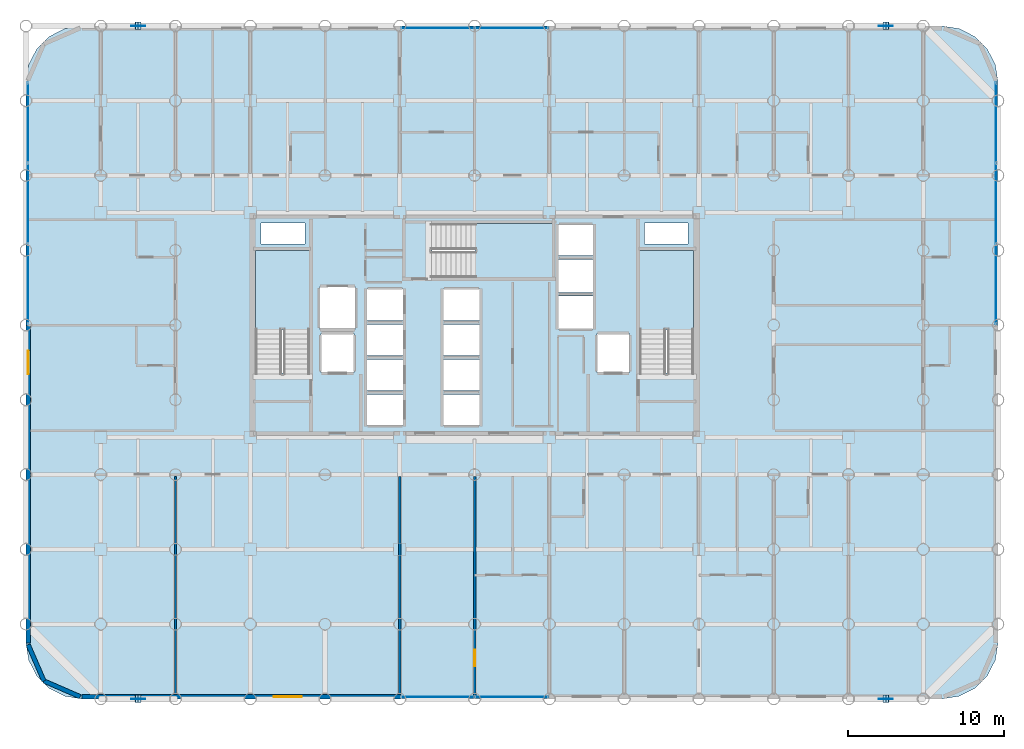
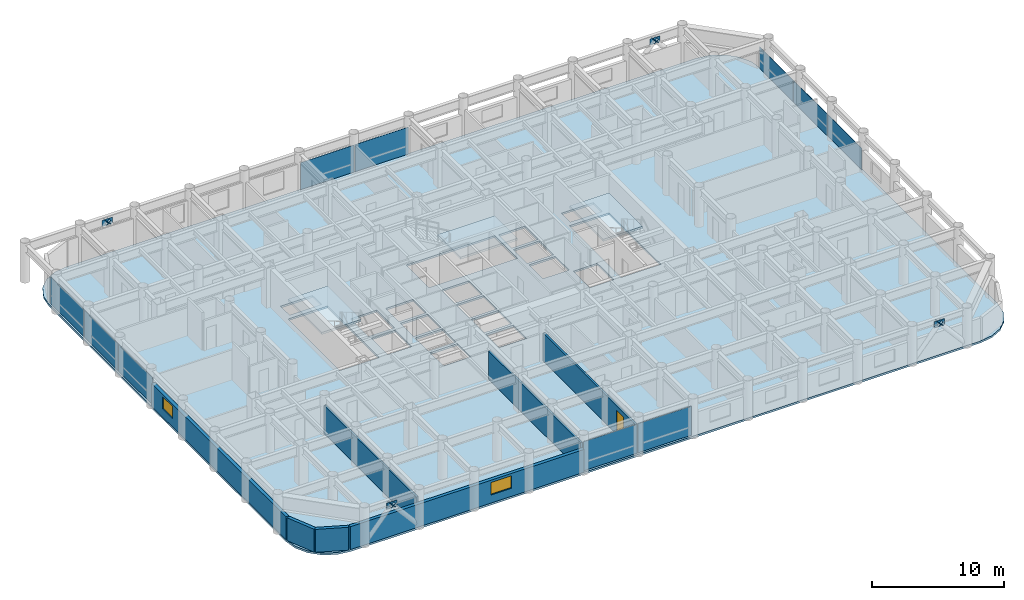
# One storey, part 14 of 20: 22 plates, 7 walls, 4 slabs, 2 windows, 1 door, 3 openings, 7 elements without a shape of their own.
"""IFC4 building model written with IfcOpenShell, lengths in metres."""

from ifc_helpers import new_model, si_unit, direction, frame, frame_2d, origin, origin_2d, place, context, subcontext, project, spatial, polyline, rectangle, outline, extrude, material, layer, layer_set, type_object, element, fill, aggregate, save


model = new_model("IFC4")

# Units and contexts
model_context = context("Model", 3, precision=1e-05, world=origin(), true_north=direction((0.0, 1.0)))
body_context = subcontext(model_context, "Body", "Model", "MODEL_VIEW")
ifc_project = project(units=[si_unit("LENGTHUNIT", "METRE"), si_unit("AREAUNIT", "SQUARE_METRE"), si_unit("VOLUMEUNIT", "CUBIC_METRE"), si_unit("PLANEANGLEUNIT", "RADIAN"), si_unit("MASSUNIT", "GRAM", prefix="KILO")], contexts=[model_context])

# Site, building, storey
site_placement = place(None, origin())
site = spatial("IfcSite", under=ifc_project, at=site_placement, CompositionType="ELEMENT")
building_placement = place(site_placement, origin())
building = spatial("IfcBuilding", under=site, at=building_placement, Name="Kallvorn Hotel Tower", CompositionType="ELEMENT")
storey_placement = place(building_placement, frame((0.0, 0.0, 78.10009765625)))
storey = spatial("IfcBuildingStorey", under=building, at=storey_placement, Name="L18", CompositionType="ELEMENT", Elevation=78.10009765625)

# Curtain wall, plates
ifc_material_1 = material(Name="Thermally broken black-anodised aluminium AA 6063-T6", Category="aluminium")
ifc_layer_1 = layer(ifc_material_1, 0.199951171875)
ifc_layer_set_1 = layer_set([ifc_layer_1], Name="CW_SYS_3_HOTEL_LOW")
curtain_wall_type = type_object("IfcCurtainWallType", Name="CW_SYS_3_HOTEL_LOW", PredefinedType="USERDEFINED", material=ifc_layer_set_1)
curtain_wall_1_placement = place(storey_placement, origin())
curtain_wall_1 = element("IfcCurtainWall", 1, at=curtain_wall_1_placement, inside=storey, type_object=curtain_wall_type, Name="L18 Dark-Glass Curtain Wall CW-L18-SC", ObjectType="UNITISED CURTAIN WALL", PredefinedType="USERDEFINED")
ifc_material_2 = material(Name="Double-glazed low-e solar-control dark glass", Category="glass")
ifc_layer_2 = layer(ifc_material_2, 0.035888671875)
ifc_layer_set_2 = layer_set([ifc_layer_2], Name="CW_SYS_3_HOTEL_LOW_PANEL")
plate_type_1 = type_object("IfcPlateType", Name="CW_SYS_3_HOTEL_LOW_PANEL", PredefinedType="CURTAIN_PANEL", material=ifc_layer_set_2)
plate_1_placement = place(storey_placement, frame((-2.375, -23.8798828125, 0.06005859375), z_axis=(0.0, 0.0, 1.0), x_axis=(1.0, 0.0, 0.0)))
plate_1 = element("IfcPlate", 2, at=plate_1_placement, type_object=plate_type_1, Name="CW-L18-SC Vision Glass Panel 00", PredefinedType="CURTAIN_PANEL", context=body_context, shape_type="SweptSolid", body=[
    extrude(rectangle(XDim=4.68994140625, YDim=0.035888671875, at=origin_2d()), origin(), (0.0, 0.0, 1.0), 2.699951171875),
])
plate_2_placement = place(storey_placement, frame((2.375, -23.8798828125, 0.06005859375), z_axis=(0.0, 0.0, 1.0), x_axis=(1.0, 0.0, 0.0)))
plate_2 = element("IfcPlate", 3, at=plate_2_placement, type_object=plate_type_1, Name="CW-L18-SC Vision Glass Panel 01", PredefinedType="CURTAIN_PANEL", context=body_context, shape_type="SweptSolid", body=[
    extrude(rectangle(XDim=4.68994140625, YDim=0.035888671875, at=origin_2d()), origin(), (0.0, 0.0, 1.0), 2.699951171875),
])
aggregate(curtain_wall_1, [plate_1, plate_2])

curtain_wall_2_placement = place(storey_placement, origin())
curtain_wall_2 = element("IfcCurtainWall", 4, at=curtain_wall_2_placement, inside=storey, type_object=curtain_wall_type, Name="L18 Dark-Glass Curtain Wall CW-L18-NC", ObjectType="UNITISED CURTAIN WALL", PredefinedType="USERDEFINED")
plate_3_placement = place(storey_placement, frame((-2.375, 19.080078125, 0.059814453125), z_axis=(0.0, 0.0, 1.0), x_axis=(1.0, 0.0, 0.0)))
plate_3 = element("IfcPlate", 5, at=plate_3_placement, type_object=plate_type_1, Name="CW-L18-NC Vision Glass Panel 00", PredefinedType="CURTAIN_PANEL", context=body_context, shape_type="SweptSolid", body=[
    extrude(rectangle(XDim=4.68994140625, YDim=0.035888671875, at=origin_2d()), origin(), (0.0, 0.0, 1.0), 2.5),
])
plate_4_placement = place(storey_placement, frame((2.375, 19.080078125, 0.059814453125), z_axis=(0.0, 0.0, 1.0), x_axis=(1.0, 0.0, 0.0)))
plate_4 = element("IfcPlate", 6, at=plate_4_placement, type_object=plate_type_1, Name="CW-L18-NC Vision Glass Panel 01", PredefinedType="CURTAIN_PANEL", context=body_context, shape_type="SweptSolid", body=[
    extrude(rectangle(XDim=4.68994140625, YDim=0.035888671875, at=origin_2d()), origin(), (0.0, 0.0, 1.0), 2.5),
])
aggregate(curtain_wall_2, [plate_3, plate_4])

curtain_wall_3_placement = place(storey_placement, origin())
curtain_wall_3 = element("IfcCurtainWall", 7, at=curtain_wall_3_placement, inside=storey, type_object=curtain_wall_type, Name="L18 Dark-Glass Curtain Wall CW-L18-WN", ObjectType="UNITISED CURTAIN WALL", PredefinedType="USERDEFINED")
plate_5_placement = place(storey_placement, frame((-28.679931640625, 2.61669921875, 0.059814453125), z_axis=(0.0, 0.0, 1.0), x_axis=(0.0, 1.0, 0.0)))
plate_5 = element("IfcPlate", 8, at=plate_5_placement, type_object=plate_type_1, Name="CW-L18-WN Vision Glass Panel 00", PredefinedType="CURTAIN_PANEL", context=body_context, shape_type="SweptSolid", body=[
    extrude(rectangle(XDim=5.13330078125, YDim=0.035888671875, at=origin_2d()), origin(), (0.0, 0.0, 1.0), 2.5),
])
plate_6_placement = place(storey_placement, frame((-28.679931640625, 7.81005859375, 0.059814453125), z_axis=(0.0, 0.0, 1.0), x_axis=(0.0, 1.0, 0.0)))
plate_6 = element("IfcPlate", 9, at=plate_6_placement, type_object=plate_type_1, Name="CW-L18-WN Vision Glass Panel 01", PredefinedType="CURTAIN_PANEL", context=body_context, shape_type="SweptSolid", body=[
    extrude(rectangle(XDim=5.13330078125, YDim=0.035888671875, at=origin_2d()), origin(), (0.0, 0.0, 1.0), 2.5),
])
plate_7_placement = place(storey_placement, frame((-28.679931640625, 13.00341796875, 0.059814453125), z_axis=(0.0, 0.0, 1.0), x_axis=(0.0, 1.0, 0.0)))
plate_7 = element("IfcPlate", 10, at=plate_7_placement, type_object=plate_type_1, Name="CW-L18-WN Vision Glass Panel 02", PredefinedType="CURTAIN_PANEL", context=body_context, shape_type="SweptSolid", body=[
    extrude(rectangle(XDim=5.13330078125, YDim=0.035888671875, at=origin_2d()), origin(), (0.0, 0.0, 1.0), 2.5),
])
aggregate(curtain_wall_3, [plate_5, plate_6, plate_7])

curtain_wall_4_placement = place(storey_placement, origin())
curtain_wall_4 = element("IfcCurtainWall", 11, at=curtain_wall_4_placement, inside=storey, type_object=curtain_wall_type, Name="L18 Dark-Glass Curtain Wall CW-L18-EN", ObjectType="UNITISED CURTAIN WALL", PredefinedType="USERDEFINED")
plate_8_placement = place(storey_placement, frame((33.47998046875, 2.61669921875, 0.059814453125), z_axis=(0.0, 0.0, 1.0), x_axis=(0.0, 1.0, 0.0)))
plate_8 = element("IfcPlate", 12, at=plate_8_placement, type_object=plate_type_1, Name="CW-L18-EN Vision Glass Panel 00", PredefinedType="CURTAIN_PANEL", context=body_context, shape_type="SweptSolid", body=[
    extrude(rectangle(XDim=5.13330078125, YDim=0.035888671875, at=origin_2d()), origin(), (0.0, 0.0, 1.0), 2.0),
])
plate_9_placement = place(storey_placement, frame((33.47998046875, 7.81005859375, 0.059814453125), z_axis=(0.0, 0.0, 1.0), x_axis=(0.0, 1.0, 0.0)))
plate_9 = element("IfcPlate", 13, at=plate_9_placement, type_object=plate_type_1, Name="CW-L18-EN Vision Glass Panel 01", PredefinedType="CURTAIN_PANEL", context=body_context, shape_type="SweptSolid", body=[
    extrude(rectangle(XDim=5.13330078125, YDim=0.035888671875, at=origin_2d()), origin(), (0.0, 0.0, 1.0), 2.0),
])
plate_10_placement = place(storey_placement, frame((33.47998046875, 13.00341796875, 0.059814453125), z_axis=(0.0, 0.0, 1.0), x_axis=(0.0, 1.0, 0.0)))
plate_10 = element("IfcPlate", 14, at=plate_10_placement, type_object=plate_type_1, Name="CW-L18-EN Vision Glass Panel 02", PredefinedType="CURTAIN_PANEL", context=body_context, shape_type="SweptSolid", body=[
    extrude(rectangle(XDim=5.13330078125, YDim=0.035888671875, at=origin_2d()), origin(), (0.0, 0.0, 1.0), 2.0),
])
aggregate(curtain_wall_4, [plate_8, plate_9, plate_10])

# Plates
ifc_material_3 = material(Name="Structural steel S355JR", Category="steel")
ifc_layer_3 = layer(ifc_material_3, 0.030029296875)
ifc_layer_set_3 = layer_set([ifc_layer_3], Name="PLT_CAP_30")
plate_type_2 = type_object("IfcPlateType", Name="PLT_CAP_30", PredefinedType="SHEET", material=ifc_layer_set_3)
for number, where, z_axis, x_axis, name in (
    (15, (-21.409423828125, -24.2431640625, 2.80859375), (0.653515319717, 0.0, 0.756913288888), (0.0, 1.0, 0.0), "EXO-L18-S1A End Cap Plate B"),
    (16, (-21.79052734375, -23.7568359375, 2.80859375), (-0.653515319717, 0.0, 0.756913288888), (0.0, -1.0, 0.0), "EXO-L18-S1B End Cap Plate B"),
    (17, (26.590576171875, -24.2431640625, 2.80859375), (0.653515319717, 0.0, 0.756913288888), (0.0, 1.0, 0.0), "EXO-L18-S2A End Cap Plate B"),
    (18, (26.20947265625, -23.7568359375, 2.80859375), (-0.653515319717, 0.0, 0.756913288888), (0.0, -1.0, 0.0), "EXO-L18-S2B End Cap Plate B"),
    (19, (-21.409423828125, 18.956787109375, 2.80859375), (0.653515319717, 0.0, 0.756913288888), (0.0, 1.0, 0.0), "EXO-L18-N1A End Cap Plate B"),
    (20, (-21.79052734375, 19.443115234375, 2.80859375), (-0.653515319717, 0.0, 0.756913288888), (0.0, -1.0, 0.0), "EXO-L18-N1B End Cap Plate B"),
    (21, (26.590576171875, 18.956787109375, 2.80859375), (0.653515319717, 0.0, 0.756913288888), (0.0, 1.0, 0.0), "EXO-L18-N2A End Cap Plate B"),
    (22, (26.20947265625, 19.443115234375, 2.80859375), (-0.653515319717, 0.0, 0.756913288888), (0.0, -1.0, 0.0), "EXO-L18-N2B End Cap Plate B"),
):
    element("IfcPlate", number, at=place(storey_placement, frame(where, z_axis=z_axis, x_axis=x_axis)), inside=storey, type_object=plate_type_2, Name=name, PredefinedType="SHEET", context=body_context, shape_type="SweptSolid", body=[
        extrude(outline(polyline([(0.0, 0.0), (0.486328125, 0.0), (0.486328125, 0.4864019008580509), (0.0, 0.4864019008580509), (0.0, 0.0)])), origin(), (0.0, 0.0, -1.0), 0.030029296875),
    ])
ifc_material_4 = material(Name="Structural steel S355JR", Category="steel")
ifc_layer_4 = layer(ifc_material_4, 0.044921875)
ifc_layer_set_4 = layer_set([ifc_layer_4], Name="PLT_GUSSET_45")
plate_type_3 = type_object("IfcPlateType", Name="PLT_GUSSET_45", PredefinedType="USERDEFINED", material=ifc_layer_set_4)
for number, where, z_axis, x_axis, name in (
    (23, (-21.60009765625, -24.0, 2.639892578125), (0.0, 0.0, 1.0), (1.0, 0.0, 0.0), "L18 Exoskeleton Node Gusset S1"),
    (24, (26.39990234375, -24.0, 2.639892578125), (0.0, 0.0, 1.0), (1.0, 0.0, 0.0), "L18 Exoskeleton Node Gusset S2"),
    (25, (-21.60009765625, 19.199951171875, 2.639892578125), (0.0, 0.0, 1.0), (1.0, 0.0, 0.0), "L18 Exoskeleton Node Gusset N1"),
    (26, (26.39990234375, 19.199951171875, 2.639892578125), (0.0, 0.0, 1.0), (1.0, 0.0, 0.0), "L18 Exoskeleton Node Gusset N2"),
):
    element("IfcPlate", number, at=place(storey_placement, frame(where, z_axis=z_axis, x_axis=x_axis)), inside=storey, type_object=plate_type_3, Name=name, ObjectType="GUSSET PLATE", PredefinedType="USERDEFINED", context=body_context, shape_type="SweptSolid", body=[
        extrude(rectangle(XDim=0.89990234375, YDim=0.044921875, at=origin_2d()), origin(), (0.0, 0.0, 1.0), 0.56005859375),
    ])

# Stair, slab
ifc_material_5 = material(Name="Precast concrete C40/50", Category="concrete")
stair_type = type_object("IfcStairType", Name="STR_CORE_DOGLEG", PredefinedType="HALF_TURN_STAIR", material=ifc_material_5)
stair_1_placement = place(storey_placement, origin())
stair_1 = element("IfcStair", 27, at=stair_1_placement, inside=storey, type_object=stair_type, Name="L18 Exit stair ST1", PredefinedType="HALF_TURN_STAIR")
ifc_material_6 = material(Name="Precast concrete C40/50", Category="concrete")
ifc_layer_5 = layer(ifc_material_6, 0.179931640625)
ifc_layer_set_5 = layer_set([ifc_layer_5], Name="SLB_LANDING_180")
slab_type_1 = type_object("IfcSlabType", Name="SLB_LANDING_180", PredefinedType="LANDING", material=ifc_layer_set_5)
slab_1_placement = place(storey_placement, frame((0.0, 0.0, 1.64990234375)))
slab_1 = element("IfcSlab", 28, at=slab_1_placement, type_object=slab_type_1, Name="ST1 landing 1", PredefinedType="LANDING", context=body_context, shape_type="SweptSolid", body=[
    extrude(outline(polyline([(-10.60009765625, -0.31005859375), (-10.60009765625, 4.800048828125), (-14.06005859375, 4.800048828125), (-14.06005859375, -0.31005859375), (-10.60009765625, -0.31005859375)])), origin(), (0.0, 0.0, 1.0), 0.199951171875),
])
aggregate(stair_1, [slab_1])

stair_2_placement = place(storey_placement, origin())
stair_2 = element("IfcStair", 29, at=stair_2_placement, inside=storey, type_object=stair_type, Name="L18 Exit stair ST2", PredefinedType="HALF_TURN_STAIR")
slab_2_placement = place(storey_placement, frame((0.0, 0.0, 1.64990234375)))
slab_2 = element("IfcSlab", 30, at=slab_2_placement, type_object=slab_type_1, Name="ST2 landing 1", PredefinedType="LANDING", context=body_context, shape_type="SweptSolid", body=[
    extrude(outline(polyline([(14.06005859375, -0.31005859375), (14.06005859375, 4.800048828125), (10.60009765625, 4.800048828125), (10.60009765625, -0.31005859375), (14.06005859375, -0.31005859375)])), origin(), (0.0, 0.0, 1.0), 0.199951171875),
])
aggregate(stair_2, [slab_2])

stair_3_placement = place(storey_placement, origin())
stair_3 = element("IfcStair", 31, at=stair_3_placement, inside=storey, type_object=stair_type, Name="L18 Exit stair ST3", PredefinedType="HALF_TURN_STAIR")
slab_3_placement = place(storey_placement, frame((0.0, 0.0, 1.64990234375)))
slab_3 = element("IfcSlab", 32, at=slab_3_placement, type_object=slab_type_1, Name="ST3 landing 1", PredefinedType="LANDING", context=body_context, shape_type="SweptSolid", body=[
    extrude(outline(polyline([(0.0400390625, 3.050048828125), (5.050048828125, 3.050048828125), (5.050048828125, 6.510009765625), (0.0400390625, 6.510009765625), (0.0400390625, 3.050048828125)])), origin(), (0.0, 0.0, 1.0), 0.199951171875),
])
aggregate(stair_3, [slab_3])

# Slab
ifc_material_7 = material(Name="Concrete C40/50", Category="concrete")
ifc_layer_6 = layer(ifc_material_7, 0.179931640625)
ifc_layer_set_6 = layer_set([ifc_layer_6], Name="SLB_TOWER_180")
slab_type_2 = type_object("IfcSlabType", Name="SLB_TOWER_180", PredefinedType="FLOOR", material=ifc_layer_set_6)
slab_4_placement = place(storey_placement, frame((0.0, 0.0, -0.18017578125)))
element("IfcSlab", 33, at=slab_4_placement, inside=storey, type_object=slab_type_2, Name="L18 Structural Floor Slab", PredefinedType="FLOOR", context=body_context, shape_type="SweptSolid", body=[
    extrude(outline(polyline([(30.0, -24.0), (31.112548828125, -23.82373046875), (32.115966796875, -23.3125), (32.91259765625, -22.51611328125), (33.423828125, -21.512451171875), (33.60009765625, -20.39990234375), (33.60009765625, 15.60009765625), (33.423828125, 16.71240234375), (32.91259765625, 17.716064453125), (32.115966796875, 18.512451171875), (31.112548828125, 19.023681640625), (30.0, 19.199951171875), (-25.199951171875, 19.199951171875), (-26.3125, 19.023681640625), (-27.31591796875, 18.512451171875), (-28.112548828125, 17.716064453125), (-28.623779296875, 16.71240234375), (-28.800048828125, 15.60009765625), (-28.800048828125, -20.39990234375), (-28.623779296875, -21.512451171875), (-28.112548828125, -22.51611328125), (-27.31591796875, -23.3125), (-26.3125, -23.82373046875), (-25.199951171875, -24.0), (30.0, -24.0)]), holes=[polyline([(-10.60009765625, -3.070068359375), (-10.60009765625, 4.800048828125), (-14.06005859375, 4.800048828125), (-14.06005859375, -3.070068359375), (-10.60009765625, -3.070068359375)]), polyline([(14.06005859375, -3.070068359375), (14.06005859375, 4.800048828125), (10.60009765625, 4.800048828125), (10.60009765625, -3.070068359375), (14.06005859375, -3.070068359375)]), polyline([(-2.719970703125, 3.050048828125), (5.050048828125, 3.050048828125), (5.050048828125, 6.510009765625), (-2.719970703125, 6.510009765625), (-2.719970703125, 3.050048828125)]), polyline([(-6.949951171875, -6.449951171875), (-4.550048828125, -6.449951171875), (-4.550048828125, -4.449951171875), (-6.949951171875, -4.449951171875), (-6.949951171875, -6.449951171875)]), polyline([(-6.949951171875, -4.199951171875), (-4.550048828125, -4.199951171875), (-4.550048828125, -2.199951171875), (-6.949951171875, -2.199951171875), (-6.949951171875, -4.199951171875)]), polyline([(-6.949951171875, -1.949951171875), (-4.550048828125, -1.949951171875), (-4.550048828125, 0.050048828125), (-6.949951171875, 0.050048828125), (-6.949951171875, -1.949951171875)]), polyline([(-6.949951171875, 0.300048828125), (-4.550048828125, 0.300048828125), (-4.550048828125, 2.300048828125), (-6.949951171875, 2.300048828125), (-6.949951171875, 0.300048828125)]), polyline([(-2.050048828125, -6.449951171875), (0.35009765625, -6.449951171875), (0.35009765625, -4.449951171875), (-2.050048828125, -4.449951171875), (-2.050048828125, -6.449951171875)]), polyline([(-2.050048828125, -4.199951171875), (0.35009765625, -4.199951171875), (0.35009765625, -2.199951171875), (-2.050048828125, -2.199951171875), (-2.050048828125, -4.199951171875)]), polyline([(-2.050048828125, -1.949951171875), (0.35009765625, -1.949951171875), (0.35009765625, 0.050048828125), (-2.050048828125, 0.050048828125), (-2.050048828125, -1.949951171875)]), polyline([(-2.050048828125, 0.300048828125), (0.35009765625, 0.300048828125), (0.35009765625, 2.300048828125), (-2.050048828125, 2.300048828125), (-2.050048828125, 0.300048828125)]), polyline([(5.35009765625, -0.25), (7.64990234375, -0.25), (7.64990234375, 1.85009765625), (5.35009765625, 1.85009765625), (5.35009765625, -0.25)]), polyline([(5.35009765625, 2.10009765625), (7.64990234375, 2.10009765625), (7.64990234375, 4.199951171875), (5.35009765625, 4.199951171875), (5.35009765625, 2.10009765625)]), polyline([(5.35009765625, 4.449951171875), (7.64990234375, 4.449951171875), (7.64990234375, 6.449951171875), (5.35009765625, 6.449951171875), (5.35009765625, 4.449951171875)]), polyline([(-9.85009765625, -3.050048828125), (-7.75, -3.050048828125), (-7.75, -0.550048828125), (-9.85009765625, -0.550048828125), (-9.85009765625, -3.050048828125)]), polyline([(7.85009765625, -3.050048828125), (9.949951171875, -3.050048828125), (9.949951171875, -0.550048828125), (7.85009765625, -0.550048828125), (7.85009765625, -3.050048828125)]), polyline([(-9.949951171875, -0.25), (-7.64990234375, -0.25), (-7.64990234375, 2.449951171875), (-9.949951171875, 2.449951171875), (-9.949951171875, -0.25)]), polyline([(-13.699951171875, 5.199951171875), (-10.89990234375, 5.199951171875), (-10.89990234375, 6.550048828125), (-13.699951171875, 6.550048828125), (-13.699951171875, 5.199951171875)]), polyline([(10.89990234375, 5.199951171875), (13.699951171875, 5.199951171875), (13.699951171875, 6.550048828125), (10.89990234375, 6.550048828125), (10.89990234375, 5.199951171875)])]), origin(), (0.0, 0.0, 1.0), 0.18017578125),
])

# Wall
ifc_material_8 = material(Name="Fire-rated double-layer acoustic gypsum drywall EI 60")
ifc_layer_7 = layer(ifc_material_8, 0.159912109375)
ifc_layer_set_7 = layer_set([ifc_layer_7], Name="WL_DEMISE_160")
wall_type_1 = type_object("IfcWallType", Name="WL_DEMISE_160", PredefinedType="PARTITIONING", material=ifc_layer_set_7)
wall_1_placement = place(storey_placement, frame((-4.800048828125, -23.7099609375, 0.0), z_axis=(0.0, 0.0, 1.0), x_axis=(0.0, 1.0, 0.0)))
element("IfcWall", 34, at=wall_1_placement, inside=storey, type_object=wall_type_1, Name="L18 Suite 1805 Executive Living Salon Partition", PredefinedType="PARTITIONING", context=body_context, shape_type="SweptSolid", body=[
    extrude(rectangle(XDim=13.989990234375, YDim=0.159912109375, at=frame_2d((6.9951171875, 0.0))), origin(), (0.0, 0.0, 1.0), 2.619873046875),
])

# Wall, opening, door
wall_2_placement = place(storey_placement, frame((0.0, -23.794921875, 0.0), z_axis=(0.0, 0.0, 1.0), x_axis=(0.0, 1.0, 0.0)))
wall_2 = element("IfcWall", 35, at=wall_2_placement, inside=storey, type_object=wall_type_1, Name="L18 Suite 1805 Executive Bedroom Partition", PredefinedType="PARTITIONING", context=body_context, shape_type="SweptSolid", body=[
    extrude(rectangle(XDim=14.074951171875, YDim=0.159912109375, at=frame_2d((7.03759765625, 0.0))), origin(), (0.0, 0.0, 1.0), 2.619873046875),
])
opening_1_placement = place(wall_2_placement, frame((1.88818359375, 0.0, 0.0)))
opening_1 = element("IfcOpeningElement", 36, at=opening_1_placement, cuts=wall_2, Name="Opening GD2", PredefinedType="OPENING", context=body_context, shape_type="SweptSolid", body=[
    extrude(rectangle(XDim=1.050048828125, YDim=2.199951171875, at=frame_2d((0.52490234375, 1.10009765625))), frame((0.0, 0.094970703125, 0.0), z_axis=(0.0, -1.0, 0.0), x_axis=(1.0, 0.0, 0.0)), (0.0, 0.0, 1.0), 0.18994140625),
])
ifc_material_9 = material(Name="Solid-core walnut veneer fire-rated timber door leaf", Category="wood")
door_type = type_object("IfcDoorType", Name="DR_SUITE_1050x2200", OperationType="NOTDEFINED", PredefinedType="DOOR", material=ifc_material_9)
door_placement = place(opening_1_placement, origin())
door = element("IfcDoor", 37, at=door_placement, inside=storey, type_object=door_type, Name="L18 Suite 1805 Executive Bedroom Door", OperationType="SINGLE_SWING_LEFT", OverallHeight=2.199951171875, OverallWidth=1.050048828125, PredefinedType="DOOR", context=body_context, shape_type="SweptSolid", body=[
    extrude(rectangle(XDim=1.050048828125, YDim=2.199951171875, at=frame_2d((0.52490234375, 1.10009765625))), frame((0.0, 0.02490234375, 0.0), z_axis=(0.0, -1.0, 0.0), x_axis=(1.0, 0.0, 0.0)), (0.0, 0.0, 1.0), 0.050048828125),
])
fill(opening_1, door)

# Walls
ifc_material_10 = material(Name="Precast basalt-clad insulated concrete wall C40/50", Category="masonry")
ifc_layer_8 = layer(ifc_material_10, 0.280029296875)
ifc_layer_set_8 = layer_set([ifc_layer_8], Name="WL_EXT_LOGGIA_280")
wall_type_2 = type_object("IfcWallType", Name="WL_EXT_LOGGIA_280", PredefinedType="SOLIDWALL", material=ifc_layer_set_8)
wall_3_placement = place(storey_placement, frame((-28.657958984375, -20.520751953125, 0.0), z_axis=(0.0, 0.0, 1.0), x_axis=(0.398792985289, -0.917040977756, 0.0)))
element("IfcWall", 38, at=wall_3_placement, inside=storey, type_object=wall_type_2, Name="L18 Rounded Corner Exterior Wall SW1", PredefinedType="SOLIDWALL", context=body_context, shape_type="SweptSolid", body=[
    extrude(rectangle(XDim=2.536376953125, YDim=0.280029296875, at=frame_2d((1.26806640625, 0.0))), origin(), (0.0, 0.0, 1.0), 2.119873046875),
])
wall_4_placement = place(storey_placement, frame((-27.646484375, -22.8466796875, 0.0), z_axis=(0.0, 0.0, 1.0), x_axis=(0.917060872934, -0.398747232384, 0.0)))
element("IfcWall", 39, at=wall_4_placement, inside=storey, type_object=wall_type_2, Name="L18 Rounded Corner Exterior Wall SW2", PredefinedType="SOLIDWALL", context=body_context, shape_type="SweptSolid", body=[
    extrude(rectangle(XDim=2.5361328125, YDim=0.280029296875, at=frame_2d((1.26806640625, 0.0))), origin(), (0.0, 0.0, 1.0), 2.119873046875),
])

# Wall, opening, window
wall_5_placement = place(storey_placement, frame((-25.199951171875, -23.860107421875, 0.0), z_axis=(0.0, 0.0, 1.0), x_axis=(1.0, 0.0, 0.0)))
wall_5 = element("IfcWall", 40, at=wall_5_placement, inside=storey, type_object=wall_type_2, Name="L18 Exterior Envelope Wall EW-L18-SW", PredefinedType="SOLIDWALL", context=body_context, shape_type="SweptSolid", body=[
    extrude(rectangle(XDim=20.449951171875, YDim=0.280029296875, at=frame_2d((10.22509765625, 0.0))), origin(), (0.0, 0.0, 1.0), 2.119873046875),
])
opening_2_placement = place(wall_5_placement, frame((12.300048828125, 0.0, 0.75)))
opening_2 = element("IfcOpeningElement", 41, at=opening_2_placement, cuts=wall_5, Name="Opening W04A", PredefinedType="OPENING", context=body_context, shape_type="SweptSolid", body=[
    extrude(rectangle(XDim=1.800048828125, YDim=1.14990234375, at=frame_2d((0.89990234375, 0.574951171875))), frame((0.0, 0.155029296875, 0.0), z_axis=(0.0, -1.0, 0.0), x_axis=(1.0, 0.0, 0.0)), (0.0, 0.0, 1.0), 0.31005859375),
])
ifc_material_11 = material(Name="Double-glazed low-e solar-control dark glass", Category="glass")
window_type_1 = type_object("IfcWindowType", Name="WN_HTL_1800x1150", PartitioningType="SINGLE_PANEL", PredefinedType="WINDOW", material=ifc_material_11)
window_1_placement = place(opening_2_placement, origin())
window_1 = element("IfcWindow", 42, at=window_1_placement, inside=storey, type_object=window_type_1, Name="L18 Guestroom Exterior Window 03", OverallHeight=1.14990234375, OverallWidth=1.800048828125, PartitioningType="SINGLE_PANEL", PredefinedType="WINDOW", context=body_context, shape_type="SweptSolid", body=[
    extrude(rectangle(XDim=1.800048828125, YDim=1.14990234375, at=frame_2d((0.89990234375, 0.574951171875))), frame((0.0, 0.030029296875, 0.0), z_axis=(0.0, -1.0, 0.0), x_axis=(1.0, 0.0, 0.0)), (0.0, 0.0, 1.0), 0.06005859375),
])
fill(opening_2, window_1)

wall_6_placement = place(storey_placement, frame((-28.659912109375, -20.39990234375, 0.0), z_axis=(0.0, 0.0, 1.0), x_axis=(0.0, 1.0, 0.0)))
wall_6 = element("IfcWall", 43, at=wall_6_placement, inside=storey, type_object=wall_type_2, Name="L18 Exterior Envelope Wall EW-L18-WS", PredefinedType="SOLIDWALL", context=body_context, shape_type="SweptSolid", body=[
    extrude(rectangle(XDim=20.3798828125, YDim=0.280029296875, at=frame_2d((10.18994140625, 0.0))), origin(), (0.0, 0.0, 1.0), 2.119873046875),
])
opening_3_placement = place(wall_6_placement, frame((17.25, 0.0, 0.75)))
opening_3 = element("IfcOpeningElement", 44, at=opening_3_placement, cuts=wall_6, Name="Opening W05A", PredefinedType="OPENING", context=body_context, shape_type="SweptSolid", body=[
    extrude(rectangle(XDim=1.5, YDim=1.14990234375, at=frame_2d((0.75, 0.574951171875))), frame((0.0, 0.155029296875, 0.0), z_axis=(0.0, -1.0, 0.0), x_axis=(1.0, 0.0, 0.0)), (0.0, 0.0, 1.0), 0.31005859375),
])
ifc_material_12 = material(Name="Double-glazed low-e solar-control dark glass", Category="glass")
window_type_2 = type_object("IfcWindowType", Name="WN_HTL_1500x1150", PartitioningType="SINGLE_PANEL", PredefinedType="WINDOW", material=ifc_material_12)
window_2_placement = place(opening_3_placement, origin())
window_2 = element("IfcWindow", 45, at=window_2_placement, inside=storey, type_object=window_type_2, Name="L18 Flank Wing Window 01", OverallHeight=1.14990234375, OverallWidth=1.5, PartitioningType="SINGLE_PANEL", PredefinedType="WINDOW", context=body_context, shape_type="SweptSolid", body=[
    extrude(rectangle(XDim=1.5, YDim=1.14990234375, at=frame_2d((0.75, 0.574951171875))), frame((0.0, 0.030029296875, 0.0), z_axis=(0.0, -1.0, 0.0), x_axis=(1.0, 0.0, 0.0)), (0.0, 0.0, 1.0), 0.06005859375),
])
fill(opening_3, window_2)

# Wall
ifc_material_13 = material(Name="Fire-rated double-layer acoustic gypsum drywall EI 60")
ifc_layer_9 = layer(ifc_material_13, 0.14990234375)
ifc_layer_set_9 = layer_set([ifc_layer_9], Name="WL_PART_150")
wall_type_3 = type_object("IfcWallType", Name="WL_PART_150", PredefinedType="PARTITIONING", material=ifc_layer_set_9)
wall_7_placement = place(storey_placement, frame((-19.199951171875, -23.7099609375, 0.0), z_axis=(0.0, 0.0, 1.0), x_axis=(0.0, 1.0, 0.0)))
element("IfcWall", 46, at=wall_7_placement, inside=storey, type_object=wall_type_3, Name="L18 L18 Panoramic Club Sky Lounge 1 Partition", PredefinedType="PARTITIONING", context=body_context, shape_type="SweptSolid", body=[
    extrude(rectangle(XDim=13.989990234375, YDim=0.14990234375, at=frame_2d((6.9951171875, 0.0))), origin(), (0.0, 0.0, 1.0), 2.619873046875),
])

save(model, "model.ifc")
